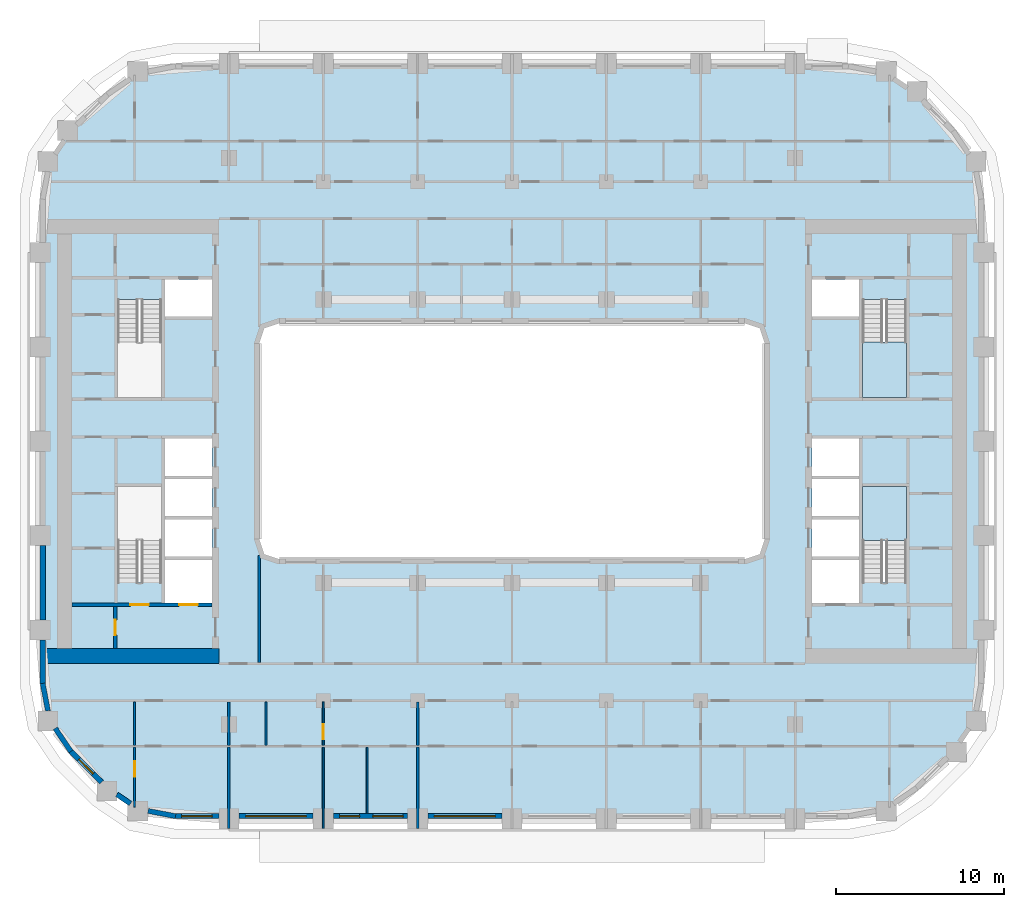
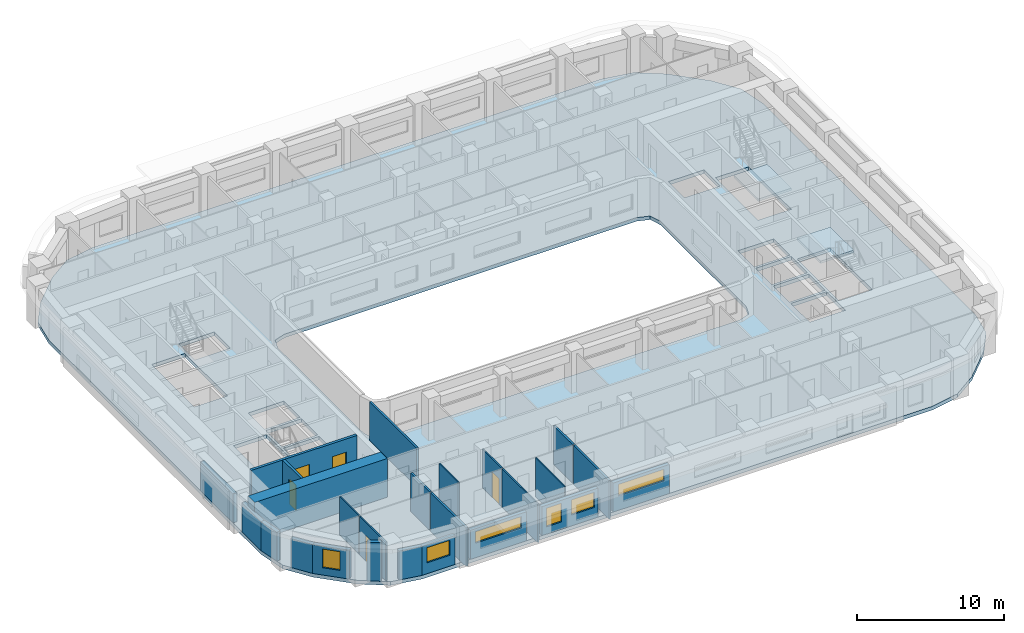
# One storey, part 2 of 21: 25 walls, 6 windows, 5 doors, 3 slabs, 11 openings, 2 elements without a shape of their own.
"""IFC4 building model written with IfcOpenShell, lengths in metres."""

from ifc_helpers import new_model, si_unit, direction, frame, frame_2d, origin, place, context, subcontext, project, spatial, polyline, rectangle, outline, extrude, material, layer, layer_set, type_object, element, fill, aggregate, save


model = new_model("IFC4")

# Units and contexts
model_context = context("Model", 3, precision=1e-05, world=origin(), true_north=direction((0.0, 1.0)))
body_context = subcontext(model_context, "Body", "Model", "MODEL_VIEW")
ifc_project = project(units=[si_unit("LENGTHUNIT", "METRE"), si_unit("AREAUNIT", "SQUARE_METRE"), si_unit("VOLUMEUNIT", "CUBIC_METRE"), si_unit("PLANEANGLEUNIT", "RADIAN"), si_unit("MASSUNIT", "GRAM", prefix="KILO")], contexts=[model_context])

# Site, building, storey
site_placement = place(None, origin())
site = spatial("IfcSite", under=ifc_project, at=site_placement, CompositionType="ELEMENT")
building_placement = place(site_placement, origin())
building = spatial("IfcBuilding", under=site, at=building_placement, Name="Kiln Ring Residences", CompositionType="ELEMENT")
storey_placement = place(building_placement, frame((0.0, 0.0, 114.800048828125)))
storey = spatial("IfcBuildingStorey", under=building, at=storey_placement, Name="L29", CompositionType="ELEMENT", Elevation=114.800048828125)

# Stair, slab
ifc_material_1 = material(Name="Concrete C40/50", Category="concrete")
stair_type = type_object("IfcStairType", Name="CORE-STAIR", PredefinedType="HALF_TURN_STAIR", material=ifc_material_1)
placement_1 = place(storey_placement, origin())
stair_1 = element("IfcStair", 1, at=placement_1, inside=storey, type_object=stair_type, Name="L29 stair E-STN", PredefinedType="HALF_TURN_STAIR")
ifc_material_2 = material(Name="Concrete C40/50", Category="concrete")
ifc_layer_1 = layer(ifc_material_2, 0.199951171875)
ifc_layer_set_1 = layer_set([ifc_layer_1], Name="CORE-STAIR-LANDING")
slab_type_1 = type_object("IfcSlabType", Name="CORE-STAIR-LANDING", PredefinedType="LANDING", material=ifc_layer_set_1)
placement_2 = place(storey_placement, frame((0.0, 0.0, 1.550048828125)))
slab_1 = element("IfcSlab", 2, at=placement_2, type_object=slab_type_1, Name="E-STN landing 1", PredefinedType="LANDING", context=body_context, shape_type="SweptSolid", body=[
    extrude(outline(polyline([(20.800048828125, 5.8798828125), (20.800048828125, 2.60009765625), (23.39990234375, 2.60009765625), (23.39990234375, 5.8798828125), (20.800048828125, 5.8798828125)])), origin(), (0.0, 0.0, 1.0), 0.199951171875),
])
aggregate(stair_1, [slab_1])

stair_2 = element("IfcStair", 3, at=placement_1, inside=storey, type_object=stair_type, Name="L29 stair E-STS", PredefinedType="HALF_TURN_STAIR")
slab_2 = element("IfcSlab", 4, at=placement_2, type_object=slab_type_1, Name="E-STS landing 1", PredefinedType="LANDING", context=body_context, shape_type="SweptSolid", body=[
    extrude(outline(polyline([(23.39990234375, -5.8798828125), (23.39990234375, -2.699951171875), (20.800048828125, -2.699951171875), (20.800048828125, -5.8798828125), (23.39990234375, -5.8798828125)])), origin(), (0.0, 0.0, 1.0), 0.199951171875),
])
aggregate(stair_2, [slab_2])

# Slab
ifc_material_3 = material(Name="Concrete C40/50", Category="concrete")
ifc_layer_2 = layer(ifc_material_3, 0.300048828125)
ifc_layer_set_2 = layer_set([ifc_layer_2], Name="Floor slab 300")
slab_type_2 = type_object("IfcSlabType", Name="Floor slab 300", PredefinedType="FLOOR", material=ifc_layer_set_2)
slab_3_placement = place(storey_placement, frame((0.0, 0.0, -0.300048828125)))
element("IfcSlab", 5, at=slab_3_placement, inside=storey, type_object=slab_type_2, Name="Floor slab L29 1", PredefinedType="FLOOR", context=body_context, shape_type="SweptSolid", body=[
    extrude(outline(polyline([(-26.302978515625, -18.4970703125), (-24.09716796875, -20.702880859375), (-22.224365234375, -21.975830078125), (-20.0, -22.39990234375), (20.0, -22.39990234375), (22.224365234375, -21.975830078125), (24.09716796875, -20.702880859375), (26.302978515625, -18.4970703125), (27.57568359375, -16.624267578125), (28.0, -14.39990234375), (28.0, 14.39990234375), (27.57568359375, 16.624267578125), (26.302978515625, 18.4970703125), (24.09716796875, 20.702880859375), (22.224365234375, 21.975830078125), (20.0, 22.39990234375), (-20.0, 22.39990234375), (-22.224365234375, 21.975830078125), (-24.09716796875, 20.702880859375), (-26.302978515625, 18.4970703125), (-27.57568359375, 16.624267578125), (-28.0, 14.39990234375), (-28.0, -14.39990234375), (-27.57568359375, -16.624267578125), (-26.302978515625, -18.4970703125)]), holes=[polyline([(-14.699951171875, -6.699951171875), (-15.0, -5.800048828125), (-15.0, 5.800048828125), (-14.699951171875, 6.699951171875), (-13.800048828125, 7.0), (13.800048828125, 7.0), (14.699951171875, 6.699951171875), (15.0, 5.800048828125), (15.0, -5.800048828125), (14.699951171875, -6.699951171875), (13.800048828125, -7.0), (-13.800048828125, -7.0), (-14.699951171875, -6.699951171875)]), polyline([(20.800048828125, -8.39794921875), (20.800048828125, -2.699951171875), (23.39990234375, -2.699951171875), (23.39990234375, -8.39794921875), (20.800048828125, -8.39794921875)]), polyline([(20.800048828125, 2.60009765625), (20.800048828125, 8.39794921875), (23.39990234375, 8.39794921875), (23.39990234375, 2.60009765625), (20.800048828125, 2.60009765625)]), polyline([(17.800048828125, -6.85009765625), (17.800048828125, -4.64990234375), (20.60009765625, -4.64990234375), (20.60009765625, -6.85009765625), (17.800048828125, -6.85009765625)]), polyline([(17.800048828125, -4.449951171875), (17.800048828125, -2.25), (20.60009765625, -2.25), (20.60009765625, -4.449951171875), (17.800048828125, -4.449951171875)]), polyline([(17.800048828125, -2.050048828125), (17.800048828125, 0.14990234375), (20.60009765625, 0.14990234375), (20.60009765625, -2.050048828125), (17.800048828125, -2.050048828125)]), polyline([(17.800048828125, 7.39990234375), (17.800048828125, 9.60009765625), (20.60009765625, 9.60009765625), (20.60009765625, 7.39990234375), (17.800048828125, 7.39990234375)]), polyline([(20.60009765625, -9.60009765625), (17.800048828125, -9.60009765625), (17.800048828125, -7.050048828125), (20.60009765625, -7.050048828125), (20.60009765625, -9.60009765625)]), polyline([(-17.800048828125, -7.050048828125), (-17.800048828125, -9.60009765625), (-20.60009765625, -9.60009765625), (-20.60009765625, -7.050048828125), (-17.800048828125, -7.050048828125)]), polyline([(-17.800048828125, -6.85009765625), (-20.60009765625, -6.85009765625), (-20.60009765625, -4.64990234375), (-17.800048828125, -4.64990234375), (-17.800048828125, -6.85009765625)]), polyline([(-17.800048828125, -4.449951171875), (-20.60009765625, -4.449951171875), (-20.60009765625, -2.25), (-17.800048828125, -2.25), (-17.800048828125, -4.449951171875)]), polyline([(-17.800048828125, -2.050048828125), (-20.60009765625, -2.050048828125), (-20.60009765625, 0.14990234375), (-17.800048828125, 0.14990234375), (-17.800048828125, -2.050048828125)]), polyline([(-17.800048828125, 7.39990234375), (-20.60009765625, 7.39990234375), (-20.60009765625, 9.60009765625), (-17.800048828125, 9.60009765625), (-17.800048828125, 7.39990234375)]), polyline([(-20.800048828125, -8.39794921875), (-23.39990234375, -8.39794921875), (-23.39990234375, -2.699951171875), (-20.800048828125, -2.699951171875), (-20.800048828125, -8.39794921875)]), polyline([(-20.800048828125, 2.60009765625), (-23.39990234375, 2.60009765625), (-23.39990234375, 8.39794921875), (-20.800048828125, 8.39794921875), (-20.800048828125, 2.60009765625)])]), origin(), (0.0, 0.0, 1.0), 0.300048828125),
])

# Wall, opening, door
ifc_material_4 = material(Name="Gypsum board on steel studs", Category="steel")
ifc_layer_3 = layer(ifc_material_4, 0.199951171875)
ifc_layer_set_3 = layer_set([ifc_layer_3], Name="CORE-PARTITION-200")
wall_type_1 = type_object("IfcWallType", Name="CORE-PARTITION-200", PredefinedType="PARTITIONING", material=ifc_layer_set_3)
wall_1_placement = place(storey_placement, frame((-23.550048828125, -12.300048828125, 0.0), z_axis=(0.0, 0.0, 1.0), x_axis=(0.0, 1.0, 0.0)))
wall_1 = element("IfcWall", 6, at=wall_1_placement, inside=storey, type_object=wall_type_1, Name="Core partition west L29 4", PredefinedType="PARTITIONING", context=body_context, shape_type="SweptSolid", body=[
    extrude(rectangle(XDim=2.5, YDim=0.199951171875, at=frame_2d((1.25, 0.0))), origin(), (0.0, 0.0, 1.0), 3.199951171875),
])
opening_1_placement = place(wall_1_placement, frame((0.800048828125, 0.0, 0.0)))
opening_1 = element("IfcOpeningElement", 7, at=opening_1_placement, cuts=wall_1, Name="Opening L29-CW10", PredefinedType="OPENING", context=body_context, shape_type="SweptSolid", body=[
    extrude(rectangle(XDim=0.89990234375, YDim=2.10009765625, at=frame_2d((0.449951171875, 1.050048828125))), frame((0.0, 0.10986328125, 0.0), z_axis=(0.0, -1.0, 0.0), x_axis=(1.0, 0.0, 0.0)), (0.0, 0.0, 1.0), 0.219970703125),
])
ifc_material_5 = material(Name="Steel door leaf", Category="steel")
door_type_1 = type_object("IfcDoorType", Name="CORE-DOOR-ROOM", OperationType="SINGLE_SWING_LEFT", PredefinedType="DOOR", material=ifc_material_5)
door_1_placement = place(opening_1_placement, origin())
door_1 = element("IfcDoor", 8, at=door_1_placement, inside=storey, type_object=door_type_1, Name="Store L29-CW10", OperationType="SINGLE_SWING_RIGHT", OverallHeight=2.10009765625, OverallWidth=0.89990234375, PredefinedType="DOOR", context=body_context, shape_type="SweptSolid", body=[
    extrude(rectangle(XDim=0.89990234375, YDim=2.10009765625, at=frame_2d((0.449951171875, 1.050048828125))), frame((0.0, 0.02490234375, 0.0), z_axis=(0.0, -1.0, 0.0), x_axis=(1.0, 0.0, 0.0)), (0.0, 0.0, 1.0), 0.050048828125),
])
fill(opening_1, door_1)

# Wall, openings, doors
ifc_material_6 = material(Name="Concrete C40/50", Category="concrete")
ifc_layer_4 = layer(ifc_material_6, 0.199951171875)
ifc_layer_set_4 = layer_set([ifc_layer_4], Name="CORE-WALL-RC200")
wall_type_2 = type_object("IfcWallType", Name="CORE-WALL-RC200", PredefinedType="SHEAR", material=ifc_layer_set_4)
wall_2_placement = place(storey_placement, frame((-17.800048828125, -9.699951171875, 0.0), z_axis=(0.0, 0.0, 1.0), x_axis=(-1.0, 0.0, 0.0)))
wall_2 = element("IfcWall", 9, at=wall_2_placement, inside=storey, type_object=wall_type_2, Name="Core wall west L29 8", PredefinedType="SHEAR", context=body_context, shape_type="SweptSolid", body=[
    extrude(rectangle(XDim=8.300048828125, YDim=0.199951171875, at=frame_2d((4.14990234375, 0.0))), origin(), (0.0, 0.0, 1.0), 3.199951171875),
])
opening_2_placement = place(wall_2_placement, frame((0.85009765625, 0.0, 0.0)))
opening_2 = element("IfcOpeningElement", 10, at=opening_2_placement, cuts=wall_2, Name="Opening L29-CW01", PredefinedType="OPENING", context=body_context, shape_type="SweptSolid", body=[
    extrude(rectangle(XDim=1.10009765625, YDim=2.10009765625, at=frame_2d((0.550048828125, 1.050048828125))), frame((0.0, 0.10986328125, 0.0), z_axis=(0.0, -1.0, 0.0), x_axis=(1.0, 0.0, 0.0)), (0.0, 0.0, 1.0), 0.219970703125),
])
opening_3_placement = place(wall_2_placement, frame((3.75, 0.0, 0.0)))
opening_3 = element("IfcOpeningElement", 11, at=opening_3_placement, cuts=wall_2, Name="Opening L29-CW12", PredefinedType="OPENING", context=body_context, shape_type="SweptSolid", body=[
    extrude(rectangle(XDim=1.10009765625, YDim=2.10009765625, at=frame_2d((0.550048828125, 1.050048828125))), frame((0.0, 0.10986328125, 0.0), z_axis=(0.0, -1.0, 0.0), x_axis=(1.0, 0.0, 0.0)), (0.0, 0.0, 1.0), 0.219970703125),
])
ifc_material_7 = material(Name="Steel door leaf", Category="steel")
door_type_2 = type_object("IfcDoorType", Name="CORE-DOOR-LD", OperationType="DOUBLE_DOOR_SLIDING", PredefinedType="DOOR", material=ifc_material_7)
door_2_placement = place(opening_2_placement, origin())
door_2 = element("IfcDoor", 12, at=door_2_placement, inside=storey, type_object=door_type_2, Name="LD W-SV L29-CW01", OperationType="DOUBLE_DOOR_SLIDING", OverallHeight=2.10009765625, OverallWidth=1.10009765625, PredefinedType="DOOR", context=body_context, shape_type="SweptSolid", body=[
    extrude(rectangle(XDim=1.10009765625, YDim=2.10009765625, at=frame_2d((0.550048828125, 1.050048828125))), frame((0.0, 0.02490234375, 0.0), z_axis=(0.0, -1.0, 0.0), x_axis=(1.0, 0.0, 0.0)), (0.0, 0.0, 1.0), 0.050048828125),
])
fill(opening_2, door_2)
ifc_material_8 = material(Name="Steel door leaf", Category="steel")
door_type_3 = type_object("IfcDoorType", Name="CORE-DOOR-STAIR", OperationType="SINGLE_SWING_LEFT", PredefinedType="DOOR", material=ifc_material_8)
door_3_placement = place(opening_3_placement, origin())
door_3 = element("IfcDoor", 13, at=door_3_placement, inside=storey, type_object=door_type_3, Name="Stair W-STS L29-CW12", OperationType="SINGLE_SWING_LEFT", OverallHeight=2.10009765625, OverallWidth=1.10009765625, PredefinedType="DOOR", context=body_context, shape_type="SweptSolid", body=[
    extrude(rectangle(XDim=1.10009765625, YDim=2.10009765625, at=frame_2d((0.550048828125, 1.050048828125))), frame((0.0, 0.02490234375, 0.0), z_axis=(0.0, -1.0, 0.0), x_axis=(1.0, 0.0, 0.0)), (0.0, 0.0, 1.0), 0.050048828125),
])
fill(opening_3, door_3)

# Wall
ifc_material_9 = material(Name="Concrete C60/75", Category="concrete")
ifc_layer_5 = layer(ifc_material_9, 0.89990234375)
ifc_layer_set_5 = layer_set([ifc_layer_5], Name="CORE-WALL-RC900")
wall_type_3 = type_object("IfcWallType", Name="CORE-WALL-RC900", PredefinedType="SHEAR", material=ifc_layer_set_5)
wall_3_placement = place(storey_placement, frame((-17.39990234375, -12.75, 0.0), z_axis=(0.0, 0.0, 1.0), x_axis=(-1.0, 0.0, 0.0)))
element("IfcWall", 14, at=wall_3_placement, inside=storey, type_object=wall_type_3, Name="Core wall west L29 5", PredefinedType="SHEAR", context=body_context, shape_type="SweptSolid", body=[
    extrude(rectangle(XDim=10.400146484375, YDim=0.89990234375, at=frame_2d((5.2001953125, 0.0))), origin(), (0.0, 0.0, 1.0), 3.199951171875),
])

# Wall, opening, window
ifc_material_10 = material(Name="Brick masonry, dark clay brick", Category="masonry")
ifc_layer_6 = layer(ifc_material_10, 0.300048828125)
ifc_layer_set_6 = layer_set([ifc_layer_6], Name="EW-300 BRICK WALL")
wall_type_4 = type_object("IfcWallType", Name="EW-300 BRICK WALL", PredefinedType="SOLIDWALL", material=ifc_layer_set_6)
wall_4_placement = place(storey_placement, frame((-26.19677734375, -18.390869140625, 0.0), z_axis=(0.0, 0.0, 1.0), x_axis=(0.707059830104, -0.707153729152, 0.0)))
wall_4 = element("IfcWall", 15, at=wall_4_placement, inside=storey, type_object=wall_type_4, Name="Facade wall L29 1", PredefinedType="SOLIDWALL", context=body_context, shape_type="SweptSolid", body=[
    extrude(rectangle(XDim=2.60009765625, YDim=0.300048828125, at=frame_2d((1.300048828125, 0.0))), origin(), (0.0, 0.0, 1.0), 2.39990234375),
])
opening_4_placement = place(wall_4_placement, frame((0.699951171875, 0.0, 0.60009765625)))
opening_4 = element("IfcOpeningElement", 16, at=opening_4_placement, cuts=wall_4, Name="Opening W1", PredefinedType="OPENING", context=body_context, shape_type="SweptSolid", body=[
    extrude(rectangle(XDim=1.199951171875, YDim=1.550048828125, at=frame_2d((0.60009765625, 0.77490234375))), frame((0.0, 0.159912109375, 0.0), z_axis=(0.0, -1.0, 0.0), x_axis=(1.0, 0.0, 0.0)), (0.0, 0.0, 1.0), 0.320068359375),
])
ifc_material_11 = material(Name="Aluminium frame with double glazing", Category="aluminium")
window_type_1 = type_object("IfcWindowType", Name="WINDOW 1200 x 1550", PartitioningType="SINGLE_PANEL", PredefinedType="WINDOW", material=ifc_material_11)
window_1_placement = place(opening_4_placement, origin())
window_1 = element("IfcWindow", 17, at=window_1_placement, inside=storey, type_object=window_type_1, Name="Window L29 1", OverallHeight=1.550048828125, OverallWidth=1.199951171875, PartitioningType="SINGLE_PANEL", PredefinedType="WINDOW", context=body_context, shape_type="SweptSolid", body=[
    extrude(rectangle(XDim=1.199951171875, YDim=1.550048828125, at=frame_2d((0.60009765625, 0.77490234375))), frame((0.0, 0.030029296875, 0.0), z_axis=(0.0, -1.0, 0.0), x_axis=(1.0, 0.0, 0.0)), (0.0, 0.0, 1.0), 0.06005859375),
])
fill(opening_4, window_1)

# Walls
wall_5_placement = place(storey_placement, frame((-23.451171875, -20.96044921875, 0.0), z_axis=(0.0, 0.0, 1.0), x_axis=(0.827019434577, -0.562173331661, 0.0)))
element("IfcWall", 18, at=wall_5_placement, inside=storey, type_object=wall_type_4, Name="Facade wall L29 2", PredefinedType="SOLIDWALL", context=body_context, shape_type="SweptSolid", body=[
    extrude(rectangle(XDim=0.97705078125, YDim=0.300048828125, at=frame_2d((0.488525390625, 0.0))), origin(), (0.0, 0.0, 1.0), 3.199951171875),
])
wall_6_placement = place(storey_placement, frame((-21.5986328125, -21.9423828125, 0.0), z_axis=(0.0, 0.0, 1.0), x_axis=(0.98228820662, -0.187376303559, 0.0)))
element("IfcWall", 19, at=wall_6_placement, inside=storey, type_object=wall_type_4, Name="Facade wall L29 3", PredefinedType="SOLIDWALL", context=body_context, shape_type="SweptSolid", body=[
    extrude(rectangle(XDim=1.656005859375, YDim=0.300048828125, at=frame_2d((0.828125, 0.0))), origin(), (0.0, 0.0, 1.0), 2.39990234375),
])

# Wall, opening, window
wall_7_placement = place(storey_placement, frame((-20.0, -22.25, 0.0), z_axis=(0.0, 0.0, 1.0), x_axis=(1.0, 0.0, 0.0)))
wall_7 = element("IfcWall", 20, at=wall_7_placement, inside=storey, type_object=wall_type_4, Name="Facade wall L29 4", PredefinedType="SOLIDWALL", context=body_context, shape_type="SweptSolid", body=[
    extrude(rectangle(XDim=2.60009765625, YDim=0.300048828125, at=frame_2d((1.300048828125, 0.0))), origin(), (0.0, 0.0, 1.0), 2.39990234375),
])
opening_5_placement = place(wall_7_placement, frame((0.39990234375, 0.0, 0.89990234375)))
opening_5 = element("IfcOpeningElement", 21, at=opening_5_placement, cuts=wall_7, Name="Opening W2", PredefinedType="OPENING", context=body_context, shape_type="SweptSolid", body=[
    extrude(rectangle(XDim=1.800048828125, YDim=1.25, at=frame_2d((0.89990234375, 0.625))), frame((0.0, 0.159912109375, 0.0), z_axis=(0.0, -1.0, 0.0), x_axis=(1.0, 0.0, 0.0)), (0.0, 0.0, 1.0), 0.320068359375),
])
ifc_material_12 = material(Name="Aluminium frame with double glazing", Category="aluminium")
window_type_2 = type_object("IfcWindowType", Name="WINDOW 1800 x 1250", PartitioningType="SINGLE_PANEL", PredefinedType="WINDOW", material=ifc_material_12)
window_2_placement = place(opening_5_placement, origin())
window_2 = element("IfcWindow", 22, at=window_2_placement, inside=storey, type_object=window_type_2, Name="Window L29 2", OverallHeight=1.25, OverallWidth=1.800048828125, PartitioningType="SINGLE_PANEL", PredefinedType="WINDOW", context=body_context, shape_type="SweptSolid", body=[
    extrude(rectangle(XDim=1.800048828125, YDim=1.25, at=frame_2d((0.89990234375, 0.625))), frame((0.0, 0.030029296875, 0.0), z_axis=(0.0, -1.0, 0.0), x_axis=(1.0, 0.0, 0.0)), (0.0, 0.0, 1.0), 0.06005859375),
])
fill(opening_5, window_2)

wall_8_placement = place(storey_placement, frame((-16.199951171875, -22.25, 0.0), z_axis=(0.0, 0.0, 1.0), x_axis=(1.0, 0.0, 0.0)))
wall_8 = element("IfcWall", 23, at=wall_8_placement, inside=storey, type_object=wall_type_4, Name="Facade wall L29 5", PredefinedType="SOLIDWALL", context=body_context, shape_type="SweptSolid", body=[
    extrude(rectangle(XDim=4.39990234375, YDim=0.300048828125, at=frame_2d((2.199951171875, 0.0))), origin(), (0.0, 0.0, 1.0), 2.39990234375),
])
opening_6_placement = place(wall_8_placement, frame((0.39990234375, 0.0, 1.199951171875)))
opening_6 = element("IfcOpeningElement", 24, at=opening_6_placement, cuts=wall_8, Name="Opening W4", PredefinedType="OPENING", context=body_context, shape_type="SweptSolid", body=[
    extrude(rectangle(XDim=3.60009765625, YDim=0.949951171875, at=frame_2d((1.800048828125, 0.47509765625))), frame((0.0, 0.159912109375, 0.0), z_axis=(0.0, -1.0, 0.0), x_axis=(1.0, 0.0, 0.0)), (0.0, 0.0, 1.0), 0.320068359375),
])
ifc_material_13 = material(Name="Aluminium frame with double glazing", Category="aluminium")
window_type_3 = type_object("IfcWindowType", Name="WINDOW 3600 x 950", PartitioningType="SINGLE_PANEL", PredefinedType="WINDOW", material=ifc_material_13)
window_3_placement = place(opening_6_placement, origin())
window_3 = element("IfcWindow", 25, at=window_3_placement, inside=storey, type_object=window_type_3, Name="Window L29 3", OverallHeight=0.949951171875, OverallWidth=3.60009765625, PartitioningType="SINGLE_PANEL", PredefinedType="WINDOW", context=body_context, shape_type="SweptSolid", body=[
    extrude(rectangle(XDim=3.60009765625, YDim=0.949951171875, at=frame_2d((1.800048828125, 0.47509765625))), frame((0.0, 0.030029296875, 0.0), z_axis=(0.0, -1.0, 0.0), x_axis=(1.0, 0.0, 0.0)), (0.0, 0.0, 1.0), 0.06005859375),
])
fill(opening_6, window_3)

# Wall, openings, windows
wall_9_placement = place(storey_placement, frame((-10.60009765625, -22.25, 0.0), z_axis=(0.0, 0.0, 1.0), x_axis=(1.0, 0.0, 0.0)))
wall_9 = element("IfcWall", 26, at=wall_9_placement, inside=storey, type_object=wall_type_4, Name="Facade wall L29 6", PredefinedType="SOLIDWALL", context=body_context, shape_type="SweptSolid", body=[
    extrude(rectangle(XDim=4.400146484375, YDim=0.300048828125, at=frame_2d((2.2001953125, 0.0))), origin(), (0.0, 0.0, 1.0), 2.39990234375),
])
opening_7_placement = place(wall_9_placement, frame((0.362548828125, 0.0, 0.60009765625)))
opening_7 = element("IfcOpeningElement", 27, at=opening_7_placement, cuts=wall_9, Name="Opening W1", PredefinedType="OPENING", context=body_context, shape_type="SweptSolid", body=[
    extrude(rectangle(XDim=1.199951171875, YDim=1.550048828125, at=frame_2d((0.60009765625, 0.77490234375))), frame((0.0, 0.159912109375, 0.0), z_axis=(0.0, -1.0, 0.0), x_axis=(1.0, 0.0, 0.0)), (0.0, 0.0, 1.0), 0.320068359375),
])
opening_8_placement = place(wall_9_placement, frame((2.33740234375, 0.0, 0.89990234375)))
opening_8 = element("IfcOpeningElement", 28, at=opening_8_placement, cuts=wall_9, Name="Opening W2", PredefinedType="OPENING", context=body_context, shape_type="SweptSolid", body=[
    extrude(rectangle(XDim=1.800048828125, YDim=1.25, at=frame_2d((0.89990234375, 0.625))), frame((0.0, 0.159912109375, 0.0), z_axis=(0.0, -1.0, 0.0), x_axis=(1.0, 0.0, 0.0)), (0.0, 0.0, 1.0), 0.320068359375),
])
window_4_placement = place(opening_7_placement, origin())
window_4 = element("IfcWindow", 29, at=window_4_placement, inside=storey, type_object=window_type_1, Name="Window L29 4", OverallHeight=1.550048828125, OverallWidth=1.199951171875, PartitioningType="SINGLE_PANEL", PredefinedType="WINDOW", context=body_context, shape_type="SweptSolid", body=[
    extrude(rectangle(XDim=1.199951171875, YDim=1.550048828125, at=frame_2d((0.60009765625, 0.77490234375))), frame((0.0, 0.030029296875, 0.0), z_axis=(0.0, -1.0, 0.0), x_axis=(1.0, 0.0, 0.0)), (0.0, 0.0, 1.0), 0.06005859375),
])
fill(opening_7, window_4)
window_5_placement = place(opening_8_placement, origin())
window_5 = element("IfcWindow", 30, at=window_5_placement, inside=storey, type_object=window_type_2, Name="Window L29 5", OverallHeight=1.25, OverallWidth=1.800048828125, PartitioningType="SINGLE_PANEL", PredefinedType="WINDOW", context=body_context, shape_type="SweptSolid", body=[
    extrude(rectangle(XDim=1.800048828125, YDim=1.25, at=frame_2d((0.89990234375, 0.625))), frame((0.0, 0.030029296875, 0.0), z_axis=(0.0, -1.0, 0.0), x_axis=(1.0, 0.0, 0.0)), (0.0, 0.0, 1.0), 0.06005859375),
])
fill(opening_8, window_5)

# Wall, opening, window
wall_10_placement = place(storey_placement, frame((-5.0, -22.25, 0.0), z_axis=(0.0, 0.0, 1.0), x_axis=(1.0, 0.0, 0.0)))
wall_10 = element("IfcWall", 31, at=wall_10_placement, inside=storey, type_object=wall_type_4, Name="Facade wall L29 7", PredefinedType="SOLIDWALL", context=body_context, shape_type="SweptSolid", body=[
    extrude(rectangle(XDim=4.39990234375, YDim=0.300048828125, at=frame_2d((2.199951171875, 0.0))), origin(), (0.0, 0.0, 1.0), 2.39990234375),
])
opening_9_placement = place(wall_10_placement, frame((0.39990234375, 0.0, 1.199951171875)))
opening_9 = element("IfcOpeningElement", 32, at=opening_9_placement, cuts=wall_10, Name="Opening W4", PredefinedType="OPENING", context=body_context, shape_type="SweptSolid", body=[
    extrude(rectangle(XDim=3.60009765625, YDim=0.949951171875, at=frame_2d((1.800048828125, 0.47509765625))), frame((0.0, 0.159912109375, 0.0), z_axis=(0.0, -1.0, 0.0), x_axis=(1.0, 0.0, 0.0)), (0.0, 0.0, 1.0), 0.320068359375),
])
window_6_placement = place(opening_9_placement, origin())
window_6 = element("IfcWindow", 33, at=window_6_placement, inside=storey, type_object=window_type_3, Name="Window L29 6", OverallHeight=0.949951171875, OverallWidth=3.60009765625, PartitioningType="SINGLE_PANEL", PredefinedType="WINDOW", context=body_context, shape_type="SweptSolid", body=[
    extrude(rectangle(XDim=3.60009765625, YDim=0.949951171875, at=frame_2d((1.800048828125, 0.47509765625))), frame((0.0, 0.030029296875, 0.0), z_axis=(0.0, -1.0, 0.0), x_axis=(1.0, 0.0, 0.0)), (0.0, 0.0, 1.0), 0.06005859375),
])
fill(opening_9, window_6)

# Walls
wall_11_placement = place(storey_placement, frame((-27.85009765625, -6.199951171875, 0.0), z_axis=(0.0, 0.0, 1.0), x_axis=(0.0, -1.0, 0.0)))
element("IfcWall", 34, at=wall_11_placement, inside=storey, type_object=wall_type_4, Name="Facade wall L29 45", PredefinedType="SOLIDWALL", context=body_context, shape_type="SweptSolid", body=[
    extrude(rectangle(XDim=4.400146484375, YDim=0.300048828125, at=frame_2d((2.2001953125, 0.0))), origin(), (0.0, 0.0, 1.0), 2.39990234375),
])
wall_12_placement = place(storey_placement, frame((-27.85009765625, -11.800048828125, 0.0), z_axis=(0.0, 0.0, 1.0), x_axis=(0.0, -1.0, 0.0)))
element("IfcWall", 35, at=wall_12_placement, inside=storey, type_object=wall_type_4, Name="Facade wall L29 46", PredefinedType="SOLIDWALL", context=body_context, shape_type="SweptSolid", body=[
    extrude(rectangle(XDim=2.599853515625, YDim=0.300048828125, at=frame_2d((1.2998046875, 0.0))), origin(), (0.0, 0.0, 1.0), 2.39990234375),
])
for number, where, z_axis, x_axis, name in (
    (36, (-27.8525390625, -14.371826171875, 0.0), (0.0, 0.0, 1.0), (0.187349172861, -0.982293381546, 0.0), "Facade wall L29 47"),
    (37, (-27.10986328125, -17.04296875, 0.0), (0.0, 0.0, 1.0), (0.562060017944, -0.82709644917, 0.0), "Facade wall L29 48"),
):
    element("IfcWall", number, at=place(storey_placement, frame(where, z_axis=z_axis, x_axis=x_axis)), inside=storey, type_object=wall_type_4, Name=name, PredefinedType="SOLIDWALL", context=body_context, shape_type="SweptSolid", body=[
        extrude(rectangle(XDim=1.65625, YDim=0.300048828125, at=frame_2d((0.828125, 0.0))), origin(), (0.0, 0.0, 1.0), 2.39990234375),
    ])

# Wall, opening, door
ifc_material_14 = material(Name="Gypsum board on steel studs", Category="steel")
ifc_layer_7 = layer(ifc_material_14, 0.10009765625)
ifc_layer_set_7 = layer_set([ifc_layer_7], Name="PARTITION-100")
wall_type_5 = type_object("IfcWallType", Name="PARTITION-100", PredefinedType="PARTITIONING", material=ifc_layer_set_7)
wall_13_placement = place(storey_placement, frame((-22.39990234375, -21.719970703125, 0.0), z_axis=(0.0, 0.0, 1.0), x_axis=(0.0, 1.0, 0.0)))
wall_13 = element("IfcWall", 38, at=wall_13_placement, inside=storey, type_object=wall_type_5, Name="Partition 007", PredefinedType="PARTITIONING", context=body_context, shape_type="SweptSolid", body=[
    extrude(rectangle(XDim=3.570068359375, YDim=0.10009765625, at=frame_2d((1.78515625, 0.0))), origin(), (0.0, 0.0, 1.0), 3.199951171875),
])
opening_10_placement = place(wall_13_placement, frame((1.820068359375, 0.0, 0.0)))
opening_10 = element("IfcOpeningElement", 39, at=opening_10_placement, cuts=wall_13, Name="Opening L29-D052", PredefinedType="OPENING", context=body_context, shape_type="SweptSolid", body=[
    extrude(rectangle(XDim=0.89990234375, YDim=2.10009765625, at=frame_2d((0.449951171875, 1.050048828125))), frame((0.0, 0.06005859375, 0.0), z_axis=(0.0, -1.0, 0.0), x_axis=(1.0, 0.0, 0.0)), (0.0, 0.0, 1.0), 0.1201171875),
])
ifc_material_15 = material(Name="Timber door leaf", Category="wood")
door_type_4 = type_object("IfcDoorType", Name="FLAT-DOOR-900-PL", OperationType="SINGLE_SWING_LEFT", PredefinedType="DOOR", material=ifc_material_15)
door_4_placement = place(opening_10_placement, origin())
door_4 = element("IfcDoor", 40, at=door_4_placement, inside=storey, type_object=door_type_4, Name="Door L29-D052", OperationType="SINGLE_SWING_LEFT", OverallHeight=2.10009765625, OverallWidth=0.89990234375, PredefinedType="DOOR", context=body_context, shape_type="SweptSolid", body=[
    extrude(rectangle(XDim=0.89990234375, YDim=2.10009765625, at=frame_2d((0.449951171875, 1.050048828125))), frame((0.0, 0.02490234375, 0.0), z_axis=(0.0, -1.0, 0.0), x_axis=(1.0, 0.0, 0.0)), (0.0, 0.0, 1.0), 0.050048828125),
])
fill(opening_10, door_4)

# Walls
for number, where, z_axis, x_axis, name in (
    (41, (-22.39990234375, -18.050048828125, 0.0), (0.0, 0.0, 1.0), (0.0, 1.0, 0.0), "Partition 008"),
    (42, (-14.60009765625, -18.050048828125, 0.0), (0.0, 0.0, 1.0), (0.0, 1.0, 0.0), "Partition 018"),
):
    element("IfcWall", number, at=place(storey_placement, frame(where, z_axis=z_axis, x_axis=x_axis)), inside=storey, type_object=wall_type_5, Name=name, PredefinedType="PARTITIONING", context=body_context, shape_type="SweptSolid", body=[
        extrude(rectangle(XDim=2.574951171875, YDim=0.10009765625, at=frame_2d((1.28759765625, 0.0))), origin(), (0.0, 0.0, 1.0), 3.199951171875),
    ])
wall_14_placement = place(storey_placement, frame((-11.199951171875, -22.97998046875, 0.0), z_axis=(0.0, 0.0, 1.0), x_axis=(0.0, 1.0, 0.0)))
element("IfcWall", 43, at=wall_14_placement, inside=storey, type_object=wall_type_5, Name="Partition 019", PredefinedType="PARTITIONING", context=body_context, shape_type="SweptSolid", body=[
    extrude(rectangle(XDim=4.830078125, YDim=0.10009765625, at=frame_2d((2.4150390625, 0.0))), origin(), (0.0, 0.0, 1.0), 3.199951171875),
])

# Wall, opening, door
wall_15_placement = place(storey_placement, frame((-11.199951171875, -18.050048828125, 0.0), z_axis=(0.0, 0.0, 1.0), x_axis=(0.0, 1.0, 0.0)))
wall_15 = element("IfcWall", 44, at=wall_15_placement, inside=storey, type_object=wall_type_5, Name="Partition 020", PredefinedType="PARTITIONING", context=body_context, shape_type="SweptSolid", body=[
    extrude(rectangle(XDim=2.574951171875, YDim=0.10009765625, at=frame_2d((1.28759765625, 0.0))), origin(), (0.0, 0.0, 1.0), 3.199951171875),
])
opening_11_placement = place(wall_15_placement, frame((0.34912109375, 0.0, 0.0)))
opening_11 = element("IfcOpeningElement", 45, at=opening_11_placement, cuts=wall_15, Name="Opening L29-D054", PredefinedType="OPENING", context=body_context, shape_type="SweptSolid", body=[
    extrude(rectangle(XDim=0.89990234375, YDim=2.10009765625, at=frame_2d((0.449951171875, 1.050048828125))), frame((0.0, 0.06005859375, 0.0), z_axis=(0.0, -1.0, 0.0), x_axis=(1.0, 0.0, 0.0)), (0.0, 0.0, 1.0), 0.1201171875),
])
door_5_placement = place(opening_11_placement, origin())
door_5 = element("IfcDoor", 46, at=door_5_placement, inside=storey, type_object=door_type_4, Name="Door L29-D054", OperationType="SINGLE_SWING_RIGHT", OverallHeight=2.10009765625, OverallWidth=0.89990234375, PredefinedType="DOOR", context=body_context, shape_type="SweptSolid", body=[
    extrude(rectangle(XDim=0.89990234375, YDim=2.10009765625, at=frame_2d((0.449951171875, 1.050048828125))), frame((0.0, 0.02490234375, 0.0), z_axis=(0.0, -1.0, 0.0), x_axis=(1.0, 0.0, 0.0)), (0.0, 0.0, 1.0), 0.050048828125),
])
fill(opening_11, door_5)

# Walls
wall_16_placement = place(storey_placement, frame((-8.60009765625, -22.080078125, 0.0), z_axis=(0.0, 0.0, 1.0), x_axis=(0.0, 1.0, 0.0)))
element("IfcWall", 47, at=wall_16_placement, inside=storey, type_object=wall_type_5, Name="Partition 026", PredefinedType="PARTITIONING", context=body_context, shape_type="SweptSolid", body=[
    extrude(rectangle(XDim=3.93017578125, YDim=0.10009765625, at=frame_2d((1.965087890625, 0.0))), origin(), (0.0, 0.0, 1.0), 3.199951171875),
])
ifc_material_16 = material(Name="Brick masonry partition", Category="masonry")
ifc_layer_8 = layer(ifc_material_16, 0.14990234375)
ifc_layer_set_8 = layer_set([ifc_layer_8], Name="PARTITION-150-ei60")
wall_type_6 = type_object("IfcWallType", Name="PARTITION-150-ei60", PredefinedType="PARTITIONING", material=ifc_layer_set_8)
wall_17_placement = place(storey_placement, frame((-16.800048828125, -22.97998046875, 0.0), z_axis=(0.0, 0.0, 1.0), x_axis=(0.0, 1.0, 0.0)))
element("IfcWall", 48, at=wall_17_placement, inside=storey, type_object=wall_type_6, Name="Partition 011", PredefinedType="PARTITIONING", context=body_context, shape_type="SweptSolid", body=[
    extrude(rectangle(XDim=4.830078125, YDim=0.14990234375, at=frame_2d((2.4150390625, 0.0))), origin(), (0.0, 0.0, 1.0), 3.199951171875),
])
wall_18_placement = place(storey_placement, frame((-16.800048828125, -18.050048828125, 0.0), z_axis=(0.0, 0.0, 1.0), x_axis=(0.0, 1.0, 0.0)))
element("IfcWall", 49, at=wall_18_placement, inside=storey, type_object=wall_type_6, Name="Partition 012", PredefinedType="PARTITIONING", context=body_context, shape_type="SweptSolid", body=[
    extrude(rectangle(XDim=2.574951171875, YDim=0.14990234375, at=frame_2d((1.28759765625, 0.0))), origin(), (0.0, 0.0, 1.0), 3.199951171875),
])
wall_19_placement = place(storey_placement, frame((-15.0, -13.125, 0.0), z_axis=(0.0, 0.0, 1.0), x_axis=(0.0, 1.0, 0.0)))
element("IfcWall", 50, at=wall_19_placement, inside=storey, type_object=wall_type_6, Name="Partition 015", PredefinedType="PARTITIONING", context=body_context, shape_type="SweptSolid", body=[
    extrude(rectangle(XDim=6.356201171875, YDim=0.14990234375, at=frame_2d((3.17822265625, 0.0))), origin(), (0.0, 0.0, 1.0), 3.199951171875),
])
wall_20_placement = place(storey_placement, frame((-5.60009765625, -22.97998046875, 0.0), z_axis=(0.0, 0.0, 1.0), x_axis=(0.0, 1.0, 0.0)))
element("IfcWall", 51, at=wall_20_placement, inside=storey, type_object=wall_type_6, Name="Partition 030", PredefinedType="PARTITIONING", context=body_context, shape_type="SweptSolid", body=[
    extrude(rectangle(XDim=4.830078125, YDim=0.14990234375, at=frame_2d((2.4150390625, 0.0))), origin(), (0.0, 0.0, 1.0), 3.199951171875),
])
wall_21_placement = place(storey_placement, frame((-5.60009765625, -18.050048828125, 0.0), z_axis=(0.0, 0.0, 1.0), x_axis=(0.0, 1.0, 0.0)))
element("IfcWall", 52, at=wall_21_placement, inside=storey, type_object=wall_type_6, Name="Partition 031", PredefinedType="PARTITIONING", context=body_context, shape_type="SweptSolid", body=[
    extrude(rectangle(XDim=2.574951171875, YDim=0.14990234375, at=frame_2d((1.28759765625, 0.0))), origin(), (0.0, 0.0, 1.0), 3.199951171875),
])

save(model, "model.ifc")
